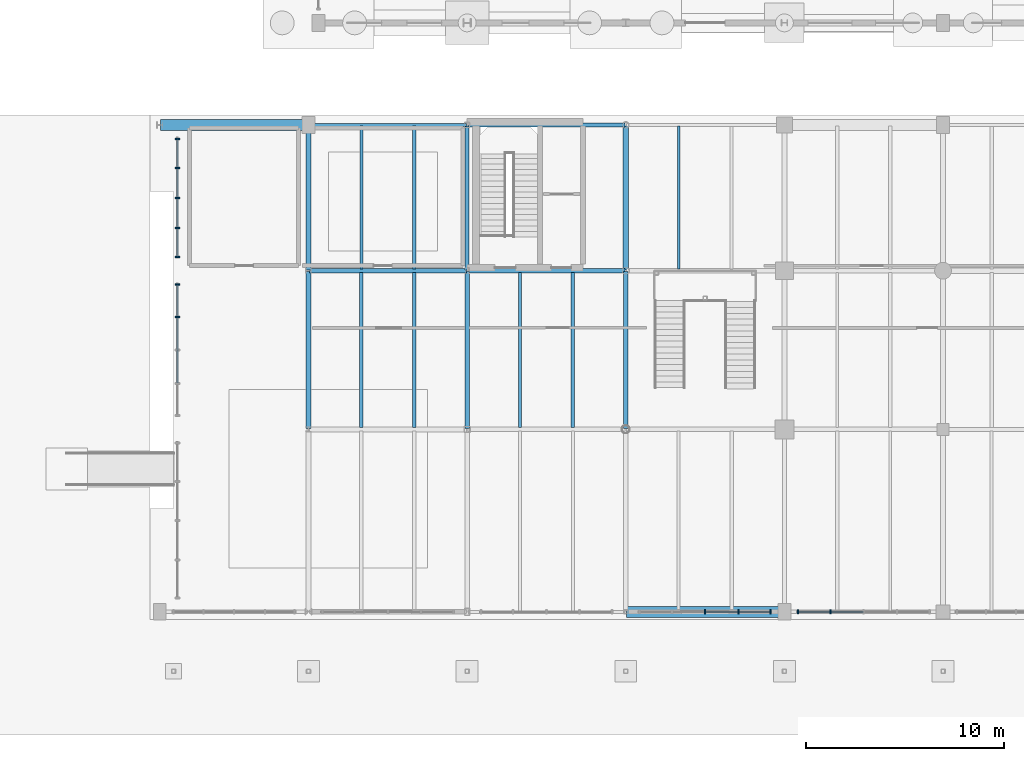
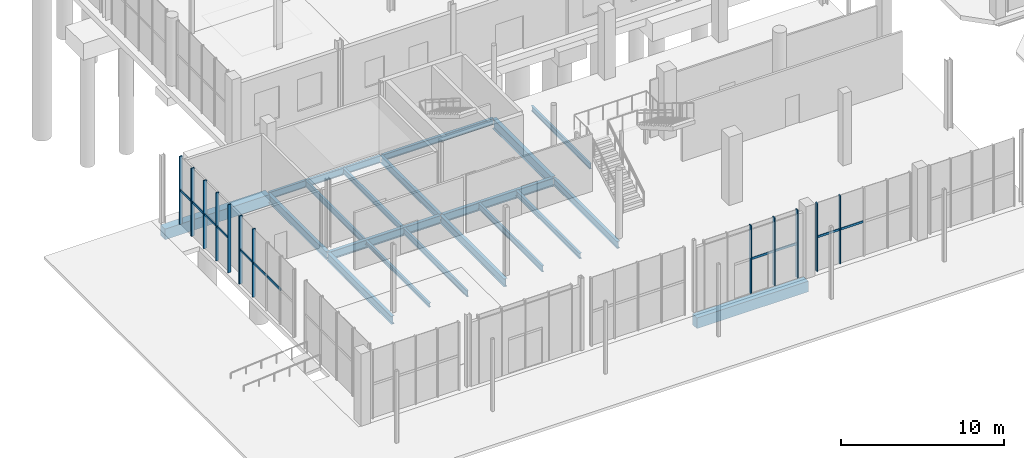
# One storey, part 35 of 87: 23 members, 19 beams, 4 elements without a shape of their own.
"""IFC4 building model written with IfcOpenShell, lengths in metres."""

from ifc_helpers import new_model, si_unit, direction, frame, origin, origin_2d, place, context, subcontext, project, spatial, rectangle, i_section, extrude, material, material_profile, profile_set, type_object, element, aggregate, save


model = new_model("IFC4")

# Units and contexts
model_context = context("Model", 3, precision=1e-05, world=origin(), true_north=direction((0.0, 1.0)))
body_context = subcontext(model_context, "Body", "Model", "MODEL_VIEW")
ifc_project = project(units=[si_unit("LENGTHUNIT", "METRE"), si_unit("AREAUNIT", "SQUARE_METRE"), si_unit("VOLUMEUNIT", "CUBIC_METRE"), si_unit("PLANEANGLEUNIT", "RADIAN"), si_unit("MASSUNIT", "GRAM", prefix="KILO")], contexts=[model_context])

# Site, building, storey
site_placement = place(None, origin())
site = spatial("IfcSite", under=ifc_project, at=site_placement, CompositionType="ELEMENT")
building_placement = place(site_placement, origin())
building = spatial("IfcBuilding", under=site, at=building_placement, Name="Brisemont Oceanarium", CompositionType="ELEMENT")
storey_placement = place(building_placement, origin())
storey = spatial("IfcBuildingStorey", under=building, at=storey_placement, Name="L00", CompositionType="ELEMENT", Elevation=0.0)

# Beams
ifc_material_1 = material(Name="Concrete C40/50", Category="concrete")
ifc_material_profile_1 = material_profile(ifc_material_1, rectangle(XDim=0.550048828125, YDim=0.800048828125, at=origin_2d()), Name="RC-BM-550X800")
ifc_profile_set_1 = profile_set([ifc_material_profile_1], Name="Concrete C40/50")
beam_type_1 = type_object("IfcBeamType", Name="BM-RC550X800", PredefinedType="SPANDREL", material=ifc_profile_set_1)
beam_1_placement = place(storey_placement, frame((32.0400390625, 6.800048828125, -0.739990234375), z_axis=(1.0, 0.0, 0.0), x_axis=(0.0, 1.0, 0.0)))
element("IfcBeam", 1, at=beam_1_placement, inside=storey, type_object=beam_type_1, Name="V2 L00 EW girder", PredefinedType="SPANDREL", context=body_context, shape_type="SweptSolid", body=[
    extrude(rectangle(XDim=0.550048828125, YDim=0.800048828125, at=origin_2d()), origin(), (0.0, 0.0, 1.0), 7.919921875),
])
beam_2_placement = place(storey_placement, frame((8.5400390625, 31.35009765625, -0.739990234375), z_axis=(1.0, 0.0, 0.0), x_axis=(0.0, 1.0, 0.0)))
element("IfcBeam", 2, at=beam_2_placement, inside=storey, type_object=beam_type_1, Name="V2 L00 EW girder", PredefinedType="SPANDREL", context=body_context, shape_type="SweptSolid", body=[
    extrude(rectangle(XDim=0.550048828125, YDim=0.800048828125, at=origin_2d()), origin(), (0.0, 0.0, 1.0), 7.419921875),
])
ifc_material_2 = material(Name="Structural Steel ASTM A992 Gr.50", Category="steel")
ifc_material_profile_2 = material_profile(ifc_material_2, i_section(OverallWidth=0.1650390625, OverallDepth=0.31005859375, WebThickness=0.005859375, FlangeThickness=0.009765625, FilletRadius=0.008056640625, at=origin_2d()), Name="W12X26")
ifc_profile_set_2 = profile_set([ifc_material_profile_2], Name="Structural Steel ASTM A992 Gr.50")
beam_type_2 = type_object("IfcBeamType", Name="BM-W12X26", PredefinedType="JOIST", material=ifc_profile_set_2)
beam_3_placement = place(storey_placement, frame((18.666748046875, 16.090087890625, -0.4951171875), z_axis=(0.0, 1.0, 0.0), x_axis=(-1.0, 0.0, 0.0)))
element("IfcBeam", 3, at=beam_3_placement, inside=storey, type_object=beam_type_2, Name="V2 L00 secondary floor beam", PredefinedType="JOIST", context=body_context, shape_type="SweptSolid", body=[
    extrude(i_section(OverallWidth=0.1650390625, OverallDepth=0.31005859375, WebThickness=0.005859375, FlangeThickness=0.009765625, FilletRadius=0.008056640625, at=origin_2d()), origin(), (0.0, 0.0, 1.0), 7.81982421875),
])
ifc_material_3 = material(Name="Structural Steel ASTM A992 Gr.50", Category="steel")
ifc_material_profile_3 = material_profile(ifc_material_3, i_section(OverallWidth=0.139892578125, OverallDepth=0.39892578125, WebThickness=0.00634765625, FlangeThickness=0.0087890625, FilletRadius=0.010009765625, at=origin_2d()), Name="W16X26")
ifc_profile_set_3 = profile_set([ifc_material_profile_3], Name="Structural Steel ASTM A992 Gr.50")
beam_type_3 = type_object("IfcBeamType", Name="BM-W16X26", PredefinedType="JOIST", material=ifc_profile_set_3)
beam_4_placement = place(storey_placement, frame((34.666748046875, 24.090087890625, -0.53955078125), z_axis=(0.0, 1.0, 0.0), x_axis=(-1.0, 0.0, 0.0)))
element("IfcBeam", 4, at=beam_4_placement, inside=storey, type_object=beam_type_3, Name="V2 L00 secondary floor beam", PredefinedType="JOIST", context=body_context, shape_type="SweptSolid", body=[
    extrude(i_section(OverallWidth=0.139892578125, OverallDepth=0.39892578125, WebThickness=0.00634765625, FlangeThickness=0.0087890625, FilletRadius=0.010009765625, at=origin_2d()), origin(), (0.0, 0.0, 1.0), 7.219970703125),
])
ifc_material_4 = material(Name="Structural Steel ASTM A992 Gr.50", Category="steel")
ifc_material_profile_4 = material_profile(ifc_material_4, i_section(OverallWidth=0.177978515625, OverallDepth=0.404052734375, WebThickness=0.007568359375, FlangeThickness=0.010986328125, FilletRadius=0.010009765625, at=origin_2d()), Name="W16X36")
ifc_profile_set_4 = profile_set([ifc_material_profile_4], Name="Structural Steel ASTM A992 Gr.50")
beam_type_4 = type_object("IfcBeamType", Name="BM-W16X36", PredefinedType="JOIST", material=ifc_profile_set_4)
beam_5_placement = place(storey_placement, frame((21.333251953125, 24.090087890625, -0.5419921875), z_axis=(0.0, 1.0, 0.0), x_axis=(-1.0, 0.0, 0.0)))
element("IfcBeam", 5, at=beam_5_placement, inside=storey, type_object=beam_type_4, Name="V2 L00 secondary floor beam", PredefinedType="JOIST", context=body_context, shape_type="SweptSolid", body=[
    extrude(i_section(OverallWidth=0.177978515625, OverallDepth=0.404052734375, WebThickness=0.007568359375, FlangeThickness=0.010986328125, FilletRadius=0.010009765625, at=origin_2d()), origin(), (0.0, 0.0, 1.0), 7.219970703125),
])
beam_6_placement = place(storey_placement, frame((29.333251953125, 16.090087890625, -0.5419921875), z_axis=(0.0, 1.0, 0.0), x_axis=(-1.0, 0.0, 0.0)))
element("IfcBeam", 6, at=beam_6_placement, inside=storey, type_object=beam_type_4, Name="V2 L00 secondary floor beam", PredefinedType="JOIST", context=body_context, shape_type="SweptSolid", body=[
    extrude(i_section(OverallWidth=0.177978515625, OverallDepth=0.404052734375, WebThickness=0.007568359375, FlangeThickness=0.010986328125, FilletRadius=0.010009765625, at=origin_2d()), origin(), (0.0, 0.0, 1.0), 7.81982421875),
])
ifc_material_5 = material(Name="Structural Steel ASTM A992 Gr.50", Category="steel")
ifc_material_profile_5 = material_profile(ifc_material_5, i_section(OverallWidth=0.153076171875, OverallDepth=0.455078125, WebThickness=0.008056640625, FlangeThickness=0.01318359375, FilletRadius=0.010986328125, at=origin_2d()), Name="W18X40")
ifc_profile_set_5 = profile_set([ifc_material_profile_5], Name="Structural Steel ASTM A992 Gr.50")
beam_type_5 = type_object("IfcBeamType", Name="BM-W18X40", PredefinedType="JOIST", material=ifc_profile_set_5)
beam_7_placement = place(storey_placement, frame((21.333251953125, 16.090087890625, -0.5673828125), z_axis=(0.0, 1.0, 0.0), x_axis=(-1.0, 0.0, 0.0)))
element("IfcBeam", 7, at=beam_7_placement, inside=storey, type_object=beam_type_5, Name="V2 L00 secondary floor beam", PredefinedType="JOIST", context=body_context, shape_type="SweptSolid", body=[
    extrude(i_section(OverallWidth=0.153076171875, OverallDepth=0.455078125, WebThickness=0.008056640625, FlangeThickness=0.01318359375, FilletRadius=0.010986328125, at=origin_2d()), origin(), (0.0, 0.0, 1.0), 7.81982421875),
])
beam_8_placement = place(storey_placement, frame((18.666748046875, 24.090087890625, -0.5673828125), z_axis=(0.0, 1.0, 0.0), x_axis=(-1.0, 0.0, 0.0)))
element("IfcBeam", 8, at=beam_8_placement, inside=storey, type_object=beam_type_5, Name="V2 L00 secondary floor beam", PredefinedType="JOIST", context=body_context, shape_type="SweptSolid", body=[
    extrude(i_section(OverallWidth=0.153076171875, OverallDepth=0.455078125, WebThickness=0.008056640625, FlangeThickness=0.01318359375, FilletRadius=0.010986328125, at=origin_2d()), origin(), (0.0, 0.0, 1.0), 7.219970703125),
])
beam_9_placement = place(storey_placement, frame((26.666748046875, 16.090087890625, -0.5673828125), z_axis=(0.0, 1.0, 0.0), x_axis=(-1.0, 0.0, 0.0)))
element("IfcBeam", 9, at=beam_9_placement, inside=storey, type_object=beam_type_5, Name="V2 L00 secondary floor beam", PredefinedType="JOIST", context=body_context, shape_type="SweptSolid", body=[
    extrude(i_section(OverallWidth=0.153076171875, OverallDepth=0.455078125, WebThickness=0.008056640625, FlangeThickness=0.01318359375, FilletRadius=0.010986328125, at=origin_2d()), origin(), (0.0, 0.0, 1.0), 7.81982421875),
])
ifc_material_6 = material(Name="Structural Steel ASTM A992 Gr.50", Category="steel")
ifc_material_profile_6 = material_profile(ifc_material_6, i_section(OverallWidth=0.19091796875, OverallDepth=0.4599609375, WebThickness=0.010009765625, FlangeThickness=0.01611328125, FilletRadius=0.010986328125, at=origin_2d()), Name="W18X55")
ifc_profile_set_6 = profile_set([ifc_material_profile_6], Name="Structural Steel ASTM A992 Gr.50")
beam_type_6 = type_object("IfcBeamType", Name="BM-W18X55", PredefinedType="SPANDREL", material=ifc_profile_set_6)
beam_10_placement = place(storey_placement, frame((24.0400390625, 31.35009765625, -0.570068359375), z_axis=(1.0, 0.0, 0.0), x_axis=(0.0, 1.0, 0.0)))
element("IfcBeam", 10, at=beam_10_placement, inside=storey, type_object=beam_type_6, Name="V2 L00 EW girder", PredefinedType="SPANDREL", context=body_context, shape_type="SweptSolid", body=[
    extrude(i_section(OverallWidth=0.19091796875, OverallDepth=0.4599609375, WebThickness=0.010009765625, FlangeThickness=0.01611328125, FilletRadius=0.010986328125, at=origin_2d()), origin(), (0.0, 0.0, 1.0), 7.919921875),
])
ifc_material_7 = material(Name="Structural Steel ASTM A992 Gr.50", Category="steel")
ifc_material_profile_7 = material_profile(ifc_material_7, i_section(OverallWidth=0.166015625, OverallDepth=0.528076171875, WebThickness=0.009765625, FlangeThickness=0.013671875, FilletRadius=0.012939453125, at=origin_2d()), Name="W21X50")
ifc_profile_set_7 = profile_set([ifc_material_profile_7], Name="Structural Steel ASTM A992 Gr.50")
beam_type_7 = type_object("IfcBeamType", Name="BM-W21X50", PredefinedType="SPANDREL", material=ifc_profile_set_7)
beam_11_placement = place(storey_placement, frame((16.0400390625, 31.35009765625, -0.60400390625), z_axis=(1.0, 0.0, 0.0), x_axis=(0.0, 1.0, 0.0)))
element("IfcBeam", 11, at=beam_11_placement, inside=storey, type_object=beam_type_7, Name="V2 L00 EW girder", PredefinedType="SPANDREL", context=body_context, shape_type="SweptSolid", body=[
    extrude(i_section(OverallWidth=0.166015625, OverallDepth=0.528076171875, WebThickness=0.009765625, FlangeThickness=0.013671875, FilletRadius=0.012939453125, at=origin_2d()), origin(), (0.0, 0.0, 1.0), 7.919921875),
])
ifc_material_8 = material(Name="Structural Steel ASTM A992 Gr.50", Category="steel")
ifc_material_profile_8 = material_profile(ifc_material_8, i_section(OverallWidth=0.2099609375, OverallDepth=0.532958984375, WebThickness=0.01025390625, FlangeThickness=0.015625, FilletRadius=0.012939453125, at=origin_2d()), Name="W21X62")
ifc_profile_set_8 = profile_set([ifc_material_profile_8], Name="Structural Steel ASTM A992 Gr.50")
beam_type_8 = type_object("IfcBeamType", Name="BM-W21X62", PredefinedType="BEAM", material=ifc_profile_set_8)
beam_12_placement = place(storey_placement, frame((24.0, 24.0400390625, -0.6064453125), z_axis=(0.0, 1.0, 0.0), x_axis=(-1.0, 0.0, 0.0)))
element("IfcBeam", 12, at=beam_12_placement, inside=storey, type_object=beam_type_8, Name="V2 L00 NS girder", PredefinedType="BEAM", context=body_context, shape_type="SweptSolid", body=[
    extrude(i_section(OverallWidth=0.2099609375, OverallDepth=0.532958984375, WebThickness=0.01025390625, FlangeThickness=0.015625, FilletRadius=0.012939453125, at=origin_2d()), origin(), (0.0, 0.0, 1.0), 7.27001953125),
])
beam_13_placement = place(storey_placement, frame((32.0, 16.0400390625, -0.6064453125), z_axis=(0.0, 1.0, 0.0), x_axis=(-1.0, 0.0, 0.0)))
element("IfcBeam", 13, at=beam_13_placement, inside=storey, type_object=beam_type_8, Name="V2 L00 NS girder", PredefinedType="BEAM", context=body_context, shape_type="SweptSolid", body=[
    extrude(i_section(OverallWidth=0.2099609375, OverallDepth=0.532958984375, WebThickness=0.01025390625, FlangeThickness=0.015625, FilletRadius=0.012939453125, at=origin_2d()), origin(), (0.0, 0.0, 1.0), 7.919921875),
])
ifc_material_9 = material(Name="Structural Steel ASTM A992 Gr.50", Category="steel")
ifc_material_profile_9 = material_profile(ifc_material_9, i_section(OverallWidth=0.22802734375, OverallDepth=0.60205078125, WebThickness=0.010498046875, FlangeThickness=0.014892578125, FilletRadius=0.012939453125, at=origin_2d()), Name="W24X68")
ifc_profile_set_9 = profile_set([ifc_material_profile_9], Name="Structural Steel ASTM A992 Gr.50")
beam_type_9 = type_object("IfcBeamType", Name="BM-W24X68", PredefinedType="BEAM", material=ifc_profile_set_9)
beam_14_placement = place(storey_placement, frame((16.0, 24.0400390625, -0.64111328125), z_axis=(0.0, 1.0, 0.0), x_axis=(-1.0, 0.0, 0.0)))
element("IfcBeam", 14, at=beam_14_placement, inside=storey, type_object=beam_type_9, Name="V2 L00 NS girder", PredefinedType="BEAM", context=body_context, shape_type="SweptSolid", body=[
    extrude(i_section(OverallWidth=0.22802734375, OverallDepth=0.60205078125, WebThickness=0.010498046875, FlangeThickness=0.014892578125, FilletRadius=0.012939453125, at=origin_2d()), origin(), (0.0, 0.0, 1.0), 7.27001953125),
])
beam_15_placement = place(storey_placement, frame((24.0, 16.0400390625, -0.64111328125), z_axis=(0.0, 1.0, 0.0), x_axis=(-1.0, 0.0, 0.0)))
element("IfcBeam", 15, at=beam_15_placement, inside=storey, type_object=beam_type_9, Name="V2 L00 NS girder", PredefinedType="BEAM", context=body_context, shape_type="SweptSolid", body=[
    extrude(i_section(OverallWidth=0.22802734375, OverallDepth=0.60205078125, WebThickness=0.010498046875, FlangeThickness=0.014892578125, FilletRadius=0.012939453125, at=origin_2d()), origin(), (0.0, 0.0, 1.0), 7.919921875),
])
ifc_material_10 = material(Name="Structural Steel ASTM A992 Gr.50", Category="steel")
ifc_material_profile_10 = material_profile(ifc_material_10, i_section(OverallWidth=0.22802734375, OverallDepth=0.60791015625, WebThickness=0.01123046875, FlangeThickness=0.017333984375, FilletRadius=0.012939453125, at=origin_2d()), Name="W24X76")
ifc_profile_set_10 = profile_set([ifc_material_profile_10], Name="Structural Steel ASTM A992 Gr.50")
beam_type_10 = type_object("IfcBeamType", Name="BM-W24X76", PredefinedType="BEAM", material=ifc_profile_set_10)
for number, where, z_axis, x_axis, name in (
    (16, (24.0400390625, 24.0, -0.64404296875), (1.0, 0.0, 0.0), (0.0, 1.0, 0.0), "V2 L00 EW girder"),
    (17, (16.0, 16.0400390625, -0.64404296875), (0.0, 1.0, 0.0), (-1.0, 0.0, 0.0), "V2 L00 NS girder"),
):
    element("IfcBeam", number, at=place(storey_placement, frame(where, z_axis=z_axis, x_axis=x_axis)), inside=storey, type_object=beam_type_10, Name=name, PredefinedType="BEAM", context=body_context, shape_type="SweptSolid", body=[
        extrude(i_section(OverallWidth=0.22802734375, OverallDepth=0.60791015625, WebThickness=0.01123046875, FlangeThickness=0.017333984375, FilletRadius=0.012939453125, at=origin_2d()), origin(), (0.0, 0.0, 1.0), 7.919921875),
    ])
ifc_material_11 = material(Name="Structural Steel ASTM A992 Gr.50", Category="steel")
ifc_material_profile_11 = material_profile(ifc_material_11, i_section(OverallWidth=0.22900390625, OverallDepth=0.612060546875, WebThickness=0.011962890625, FlangeThickness=0.01953125, FilletRadius=0.012939453125, at=origin_2d()), Name="W24X84")
ifc_profile_set_11 = profile_set([ifc_material_profile_11], Name="Structural Steel ASTM A992 Gr.50")
beam_type_11 = type_object("IfcBeamType", Name="BM-W24X84", PredefinedType="BEAM", material=ifc_profile_set_11)
beam_16_placement = place(storey_placement, frame((16.0400390625, 24.0, -0.64599609375), z_axis=(1.0, 0.0, 0.0), x_axis=(0.0, 1.0, 0.0)))
element("IfcBeam", 18, at=beam_16_placement, inside=storey, type_object=beam_type_11, Name="V2 L00 EW girder", PredefinedType="BEAM", context=body_context, shape_type="SweptSolid", body=[
    extrude(i_section(OverallWidth=0.22900390625, OverallDepth=0.612060546875, WebThickness=0.011962890625, FlangeThickness=0.01953125, FilletRadius=0.012939453125, at=origin_2d()), origin(), (0.0, 0.0, 1.0), 7.919921875),
])
ifc_material_12 = material(Name="Structural Steel ASTM A992 Gr.50", Category="steel")
ifc_material_profile_12 = material_profile(ifc_material_12, i_section(OverallWidth=0.26708984375, OverallDepth=0.761962890625, WebThickness=0.014404296875, FlangeThickness=0.021484375, FilletRadius=0.01611328125, at=origin_2d()), Name="W30X116")
ifc_profile_set_12 = profile_set([ifc_material_profile_12], Name="Structural Steel ASTM A992 Gr.50")
beam_type_12 = type_object("IfcBeamType", Name="BM-W30X116", PredefinedType="BEAM", material=ifc_profile_set_12)
beam_17_placement = place(storey_placement, frame((32.0, 24.0400390625, -0.720947265625), z_axis=(0.0, 1.0, 0.0), x_axis=(-1.0, 0.0, 0.0)))
element("IfcBeam", 19, at=beam_17_placement, inside=storey, type_object=beam_type_12, Name="V2 L00 NS girder", PredefinedType="BEAM", context=body_context, shape_type="SweptSolid", body=[
    extrude(i_section(OverallWidth=0.26708984375, OverallDepth=0.761962890625, WebThickness=0.014404296875, FlangeThickness=0.021484375, FilletRadius=0.01611328125, at=origin_2d()), origin(), (0.0, 0.0, 1.0), 7.27001953125),
])

# Curtain wall, members
ifc_material_13 = material(Name="Anodized Extruded Aluminum 6063-T6", Category="aluminium")
curtain_wall_type = type_object("IfcCurtainWallType", Name="CW-HALL-69X50", PredefinedType="NOTDEFINED", material=ifc_material_13)
curtain_wall_1_placement = place(storey_placement, origin())
curtain_wall_1 = element("IfcCurtainWall", 20, at=curtain_wall_1_placement, inside=storey, type_object=curtain_wall_type, Name="CW-04 curtain wall CW-V2-S-L00-04", PredefinedType="NOTDEFINED")
ifc_material_14 = material(Name="Anodized Extruded Aluminum 6063-T6", Category="aluminium")
ifc_material_profile_13 = material_profile(ifc_material_14, rectangle(XDim=0.074951171875, YDim=0.219970703125, at=origin_2d()), Name="CWM-75X220")
ifc_profile_set_13 = profile_set([ifc_material_profile_13], Name="Anodized Extruded Aluminum 6063-T6")
member_type_1 = type_object("IfcMemberType", Name="MEM-CWM-75", PredefinedType="MULLION", material=ifc_profile_set_13)
member_1_placement = place(storey_placement, frame((36.0, 6.800048828125, 0.0), z_axis=(0.0, 0.0, 1.0), x_axis=(1.0, 0.0, 0.0)))
member_1 = element("IfcMember", 21, at=member_1_placement, type_object=member_type_1, Name="CW-V2-S-L00-04 mullion 3", PredefinedType="MULLION", context=body_context, shape_type="SweptSolid", body=[
    extrude(rectangle(XDim=0.074951171875, YDim=0.219970703125, at=origin_2d()), origin(), (0.0, 0.0, 1.0), 5.10009765625),
])
member_2_placement = place(storey_placement, frame((37.675048828125, 6.800048828125, 0.0), z_axis=(0.0, 0.0, 1.0), x_axis=(1.0, 0.0, 0.0)))
member_2 = element("IfcMember", 22, at=member_2_placement, type_object=member_type_1, Name="CW-V2-S-L00-04 mullion 4", PredefinedType="MULLION", context=body_context, shape_type="SweptSolid", body=[
    extrude(rectangle(XDim=0.074951171875, YDim=0.219970703125, at=origin_2d()), origin(), (0.0, 0.0, 1.0), 5.10009765625),
])
member_3_placement = place(storey_placement, frame((39.304931640625, 6.800048828125, 0.0), z_axis=(0.0, 0.0, 1.0), x_axis=(1.0, 0.0, 0.0)))
member_3 = element("IfcMember", 23, at=member_3_placement, type_object=member_type_1, Name="CW-V2-S-L00-04 mullion 5", PredefinedType="MULLION", context=body_context, shape_type="SweptSolid", body=[
    extrude(rectangle(XDim=0.074951171875, YDim=0.219970703125, at=origin_2d()), origin(), (0.0, 0.0, 1.0), 5.10009765625),
])

curtain_wall_2_placement = place(storey_placement, origin())
curtain_wall_2 = element("IfcCurtainWall", 24, at=curtain_wall_2_placement, inside=storey, type_object=curtain_wall_type, Name="CW-04 curtain wall CW-V2-S-L00-05", PredefinedType="NOTDEFINED")
member_4_placement = place(storey_placement, frame((40.695068359375, 6.800048828125, 0.0), z_axis=(0.0, 0.0, 1.0), x_axis=(1.0, 0.0, 0.0)))
member_4 = element("IfcMember", 25, at=member_4_placement, type_object=member_type_1, Name="CW-V2-S-L00-05 mullion 1", PredefinedType="MULLION", context=body_context, shape_type="SweptSolid", body=[
    extrude(rectangle(XDim=0.074951171875, YDim=0.219970703125, at=origin_2d()), origin(), (0.0, 0.0, 1.0), 5.10009765625),
])
member_5_placement = place(storey_placement, frame((42.324951171875, 6.800048828125, 0.0), z_axis=(0.0, 0.0, 1.0), x_axis=(1.0, 0.0, 0.0)))
member_5 = element("IfcMember", 26, at=member_5_placement, type_object=member_type_1, Name="CW-V2-S-L00-05 mullion 2", PredefinedType="MULLION", context=body_context, shape_type="SweptSolid", body=[
    extrude(rectangle(XDim=0.074951171875, YDim=0.219970703125, at=origin_2d()), origin(), (0.0, 0.0, 1.0), 5.10009765625),
])

curtain_wall_3_placement = place(storey_placement, origin())
curtain_wall_3 = element("IfcCurtainWall", 27, at=curtain_wall_3_placement, inside=storey, type_object=curtain_wall_type, Name="CW-04 curtain wall CW-V2-W-L00-02", PredefinedType="NOTDEFINED")
member_6_placement = place(storey_placement, frame((9.39990234375, 21.675048828125, 0.0), z_axis=(0.0, 0.0, 1.0), x_axis=(0.0, 1.0, 0.0)))
member_6 = element("IfcMember", 28, at=member_6_placement, type_object=member_type_1, Name="CW-V2-W-L00-02 mullion 4", PredefinedType="MULLION", context=body_context, shape_type="SweptSolid", body=[
    extrude(rectangle(XDim=0.074951171875, YDim=0.219970703125, at=origin_2d()), origin(), (0.0, 0.0, 1.0), 5.10009765625),
])
member_7_placement = place(storey_placement, frame((9.39990234375, 23.304931640625, 0.0), z_axis=(0.0, 0.0, 1.0), x_axis=(0.0, 1.0, 0.0)))
member_7 = element("IfcMember", 29, at=member_7_placement, type_object=member_type_1, Name="CW-V2-W-L00-02 mullion 5", PredefinedType="MULLION", context=body_context, shape_type="SweptSolid", body=[
    extrude(rectangle(XDim=0.074951171875, YDim=0.219970703125, at=origin_2d()), origin(), (0.0, 0.0, 1.0), 5.10009765625),
])

curtain_wall_4_placement = place(storey_placement, origin())
curtain_wall_4 = element("IfcCurtainWall", 30, at=curtain_wall_4_placement, inside=storey, type_object=curtain_wall_type, Name="CW-04 curtain wall CW-V2-W-L00-03", PredefinedType="NOTDEFINED")
member_8_placement = place(storey_placement, frame((9.39990234375, 24.695068359375, 0.0), z_axis=(0.0, 0.0, 1.0), x_axis=(0.0, 1.0, 0.0)))
member_8 = element("IfcMember", 31, at=member_8_placement, type_object=member_type_1, Name="CW-V2-W-L00-03 mullion 1", PredefinedType="MULLION", context=body_context, shape_type="SweptSolid", body=[
    extrude(rectangle(XDim=0.074951171875, YDim=0.219970703125, at=origin_2d()), origin(), (0.0, 0.0, 1.0), 5.10009765625),
])
member_9_placement = place(storey_placement, frame((9.39990234375, 26.16259765625, 0.0), z_axis=(0.0, 0.0, 1.0), x_axis=(0.0, 1.0, 0.0)))
member_9 = element("IfcMember", 32, at=member_9_placement, type_object=member_type_1, Name="CW-V2-W-L00-03 mullion 2", PredefinedType="MULLION", context=body_context, shape_type="SweptSolid", body=[
    extrude(rectangle(XDim=0.074951171875, YDim=0.219970703125, at=origin_2d()), origin(), (0.0, 0.0, 1.0), 5.10009765625),
])
member_10_placement = place(storey_placement, frame((9.39990234375, 27.675048828125, 0.0), z_axis=(0.0, 0.0, 1.0), x_axis=(0.0, 1.0, 0.0)))
member_10 = element("IfcMember", 33, at=member_10_placement, type_object=member_type_1, Name="CW-V2-W-L00-03 mullion 3", PredefinedType="MULLION", context=body_context, shape_type="SweptSolid", body=[
    extrude(rectangle(XDim=0.074951171875, YDim=0.219970703125, at=origin_2d()), origin(), (0.0, 0.0, 1.0), 5.10009765625),
])
member_11_placement = place(storey_placement, frame((9.39990234375, 29.1875, 0.0), z_axis=(0.0, 0.0, 1.0), x_axis=(0.0, 1.0, 0.0)))
member_11 = element("IfcMember", 34, at=member_11_placement, type_object=member_type_1, Name="CW-V2-W-L00-03 mullion 4", PredefinedType="MULLION", context=body_context, shape_type="SweptSolid", body=[
    extrude(rectangle(XDim=0.074951171875, YDim=0.219970703125, at=origin_2d()), origin(), (0.0, 0.0, 1.0), 5.10009765625),
])
member_12_placement = place(storey_placement, frame((9.39990234375, 30.655029296875, 0.0), z_axis=(0.0, 0.0, 1.0), x_axis=(0.0, 1.0, 0.0)))
member_12 = element("IfcMember", 35, at=member_12_placement, type_object=member_type_1, Name="CW-V2-W-L00-03 mullion 5", PredefinedType="MULLION", context=body_context, shape_type="SweptSolid", body=[
    extrude(rectangle(XDim=0.074951171875, YDim=0.219970703125, at=origin_2d()), origin(), (0.0, 0.0, 1.0), 5.10009765625),
])

# Member
ifc_material_15 = material(Name="Anodized Extruded Aluminum 6063-T6", Category="aluminium")
ifc_material_profile_14 = material_profile(ifc_material_15, rectangle(XDim=0.074951171875, YDim=0.1650390625, at=origin_2d()), Name="CWT-75X165")
ifc_profile_set_14 = profile_set([ifc_material_profile_14], Name="Anodized Extruded Aluminum 6063-T6")
member_type_2 = type_object("IfcMemberType", Name="MEM-CWT-75", PredefinedType="USERDEFINED", material=ifc_profile_set_14)
member_13_placement = place(storey_placement, frame((36.014892578125, 6.800048828125, 2.550048828125), z_axis=(1.0, 0.0, 0.0), x_axis=(0.0, 1.0, 0.0)))
member_13 = element("IfcMember", 36, at=member_13_placement, type_object=member_type_2, Name="CW-V2-S-L00-04 transom 3.1", ObjectType="TRANSOM", PredefinedType="USERDEFINED", context=body_context, shape_type="SweptSolid", body=[
    extrude(rectangle(XDim=0.074951171875, YDim=0.1650390625, at=origin_2d()), origin(), (0.0, 0.0, 1.0), 1.64501953125),
])

member_14_placement = place(storey_placement, frame((37.68994140625, 6.800048828125, 2.550048828125), z_axis=(1.0, 0.0, 0.0), x_axis=(0.0, 1.0, 0.0)))
member_14 = element("IfcMember", 37, at=member_14_placement, type_object=member_type_2, Name="CW-V2-S-L00-04 transom 4.1", ObjectType="TRANSOM", PredefinedType="USERDEFINED", context=body_context, shape_type="SweptSolid", body=[
    extrude(rectangle(XDim=0.074951171875, YDim=0.1650390625, at=origin_2d()), origin(), (0.0, 0.0, 1.0), 1.64501953125),
])

aggregate(curtain_wall_1, [member_1, member_2, member_3, member_13, member_14])

member_15_placement = place(storey_placement, frame((40.6650390625, 6.800048828125, 2.550048828125), z_axis=(1.0, 0.0, 0.0), x_axis=(0.0, 1.0, 0.0)))
member_15 = element("IfcMember", 38, at=member_15_placement, type_object=member_type_2, Name="CW-V2-S-L00-05 transom 1.1", ObjectType="TRANSOM", PredefinedType="USERDEFINED", context=body_context, shape_type="SweptSolid", body=[
    extrude(rectangle(XDim=0.074951171875, YDim=0.1650390625, at=origin_2d()), origin(), (0.0, 0.0, 1.0), 1.64501953125),
])

member_16_placement = place(storey_placement, frame((42.340087890625, 6.800048828125, 2.550048828125), z_axis=(1.0, 0.0, 0.0), x_axis=(0.0, 1.0, 0.0)))
member_16 = element("IfcMember", 39, at=member_16_placement, type_object=member_type_2, Name="CW-V2-S-L00-05 transom 2.1", ObjectType="TRANSOM", PredefinedType="USERDEFINED", context=body_context, shape_type="SweptSolid", body=[
    extrude(rectangle(XDim=0.074951171875, YDim=0.1650390625, at=origin_2d()), origin(), (0.0, 0.0, 1.0), 1.64501953125),
])

aggregate(curtain_wall_2, [member_4, member_5, member_15, member_16])

member_17_placement = place(storey_placement, frame((9.39990234375, 18.340087890625, 2.550048828125), z_axis=(0.0, 1.0, 0.0), x_axis=(-1.0, 0.0, 0.0)))
member_17 = element("IfcMember", 40, at=member_17_placement, type_object=member_type_2, Name="CW-V2-W-L00-02 transom 2.1", ObjectType="TRANSOM", PredefinedType="USERDEFINED", context=body_context, shape_type="SweptSolid", body=[
    extrude(rectangle(XDim=0.074951171875, YDim=0.1650390625, at=origin_2d()), origin(), (0.0, 0.0, 1.0), 1.64501953125),
])

member_18_placement = place(storey_placement, frame((9.39990234375, 20.014892578125, 2.550048828125), z_axis=(0.0, 1.0, 0.0), x_axis=(-1.0, 0.0, 0.0)))
member_18 = element("IfcMember", 41, at=member_18_placement, type_object=member_type_2, Name="CW-V2-W-L00-02 transom 3.1", ObjectType="TRANSOM", PredefinedType="USERDEFINED", context=body_context, shape_type="SweptSolid", body=[
    extrude(rectangle(XDim=0.074951171875, YDim=0.1650390625, at=origin_2d()), origin(), (0.0, 0.0, 1.0), 1.64501953125),
])

member_19_placement = place(storey_placement, frame((9.39990234375, 21.68994140625, 2.550048828125), z_axis=(0.0, 1.0, 0.0), x_axis=(-1.0, 0.0, 0.0)))
member_19 = element("IfcMember", 42, at=member_19_placement, type_object=member_type_2, Name="CW-V2-W-L00-02 transom 4.1", ObjectType="TRANSOM", PredefinedType="USERDEFINED", context=body_context, shape_type="SweptSolid", body=[
    extrude(rectangle(XDim=0.074951171875, YDim=0.1650390625, at=origin_2d()), origin(), (0.0, 0.0, 1.0), 1.64501953125),
])

aggregate(curtain_wall_3, [member_6, member_7, member_17, member_18, member_19])

member_20_placement = place(storey_placement, frame((9.39990234375, 24.6650390625, 2.550048828125), z_axis=(0.0, 1.0, 0.0), x_axis=(-1.0, 0.0, 0.0)))
member_20 = element("IfcMember", 43, at=member_20_placement, type_object=member_type_2, Name="CW-V2-W-L00-03 transom 1.1", ObjectType="TRANSOM", PredefinedType="USERDEFINED", context=body_context, shape_type="SweptSolid", body=[
    extrude(rectangle(XDim=0.074951171875, YDim=0.1650390625, at=origin_2d()), origin(), (0.0, 0.0, 1.0), 1.482421875),
])

member_21_placement = place(storey_placement, frame((9.39990234375, 26.177490234375, 2.550048828125), z_axis=(0.0, 1.0, 0.0), x_axis=(-1.0, 0.0, 0.0)))
member_21 = element("IfcMember", 44, at=member_21_placement, type_object=member_type_2, Name="CW-V2-W-L00-03 transom 2.1", ObjectType="TRANSOM", PredefinedType="USERDEFINED", context=body_context, shape_type="SweptSolid", body=[
    extrude(rectangle(XDim=0.074951171875, YDim=0.1650390625, at=origin_2d()), origin(), (0.0, 0.0, 1.0), 1.482421875),
])

member_22_placement = place(storey_placement, frame((9.39990234375, 27.68994140625, 2.550048828125), z_axis=(0.0, 1.0, 0.0), x_axis=(-1.0, 0.0, 0.0)))
member_22 = element("IfcMember", 45, at=member_22_placement, type_object=member_type_2, Name="CW-V2-W-L00-03 transom 3.1", ObjectType="TRANSOM", PredefinedType="USERDEFINED", context=body_context, shape_type="SweptSolid", body=[
    extrude(rectangle(XDim=0.074951171875, YDim=0.1650390625, at=origin_2d()), origin(), (0.0, 0.0, 1.0), 1.482666015625),
])

member_23_placement = place(storey_placement, frame((9.39990234375, 29.202392578125, 2.550048828125), z_axis=(0.0, 1.0, 0.0), x_axis=(-1.0, 0.0, 0.0)))
member_23 = element("IfcMember", 46, at=member_23_placement, type_object=member_type_2, Name="CW-V2-W-L00-03 transom 4.1", ObjectType="TRANSOM", PredefinedType="USERDEFINED", context=body_context, shape_type="SweptSolid", body=[
    extrude(rectangle(XDim=0.074951171875, YDim=0.1650390625, at=origin_2d()), origin(), (0.0, 0.0, 1.0), 1.482666015625),
])

aggregate(curtain_wall_4, [member_8, member_9, member_10, member_11, member_12, member_20, member_21, member_22, member_23])

save(model, "model.ifc")
